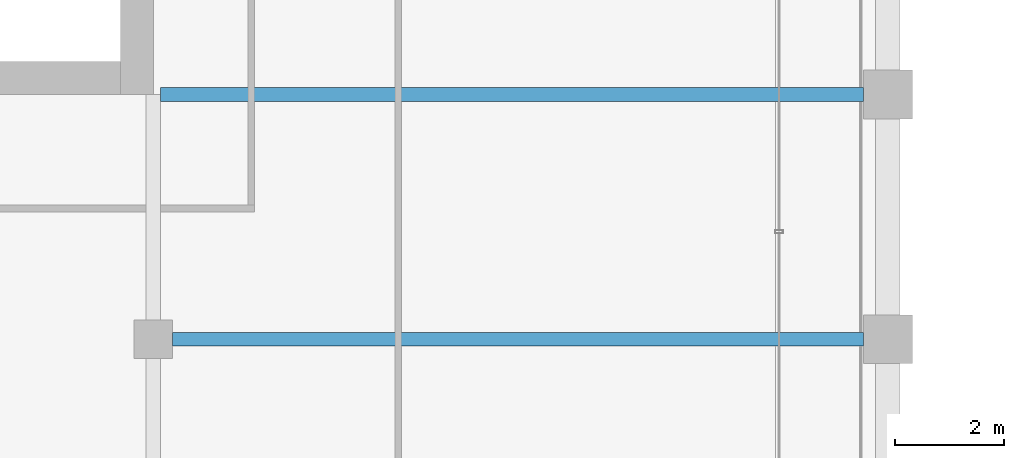
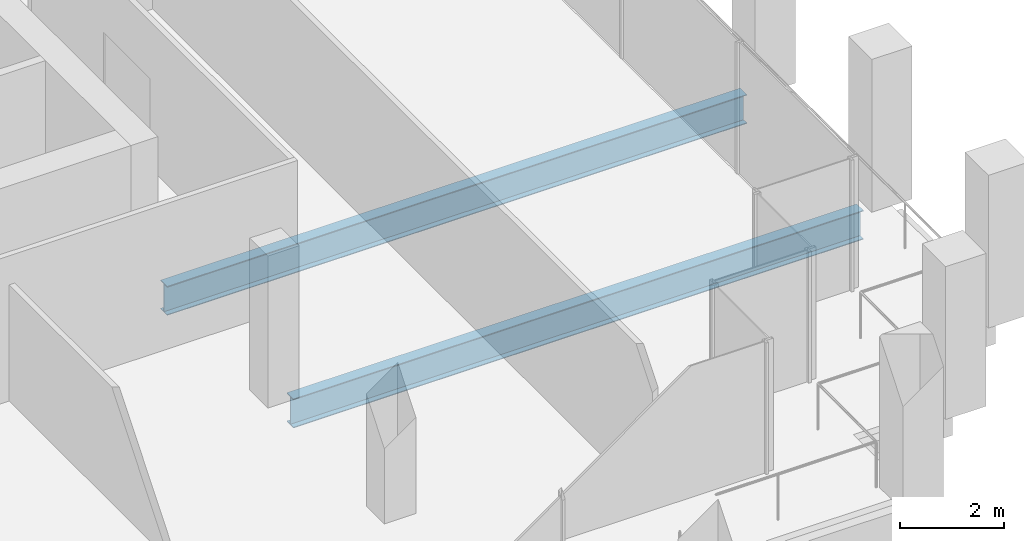
# One storey, part 14 of 40: 2 beams.
"""IFC4 building model written with IfcOpenShell, lengths in metres."""

from ifc_helpers import new_model, si_unit, direction, frame, origin, origin_2d, place, context, subcontext, project, spatial, i_section, extrude, material, material_profile, profile_set, type_object, element, save


model = new_model("IFC4")

# Units and contexts
model_context = context("Model", 3, precision=1e-05, world=origin(), true_north=direction((0.0, 1.0)))
body_context = subcontext(model_context, "Body", "Model", "MODEL_VIEW")
ifc_project = project(units=[si_unit("LENGTHUNIT", "METRE"), si_unit("AREAUNIT", "SQUARE_METRE"), si_unit("VOLUMEUNIT", "CUBIC_METRE"), si_unit("PLANEANGLEUNIT", "RADIAN"), si_unit("MASSUNIT", "GRAM", prefix="KILO")], contexts=[model_context])

# Site, building, storey
site_placement = place(None, origin())
site = spatial("IfcSite", under=ifc_project, at=site_placement, CompositionType="ELEMENT")
building_placement = place(site_placement, origin())
building = spatial("IfcBuilding", under=site, at=building_placement, Name="Altepetl Exchange Towers", CompositionType="ELEMENT")
storey_placement = place(building_placement, frame((0.0, 0.0, 154.60009765625)))
storey = spatial("IfcBuildingStorey", under=building, at=storey_placement, Name="L38", CompositionType="ELEMENT", Elevation=154.60009765625)

# Beams
ifc_material = material(Name="Steel S355", Category="steel")
ifc_material_profile = material_profile(ifc_material, i_section(OverallWidth=0.25390625, OverallDepth=0.68408203125, WebThickness=0.012451171875, FlangeThickness=0.018798828125, at=origin_2d()), Name="W27X94")
ifc_profile_set = profile_set([ifc_material_profile], Name="Steel S355")
beam_type = type_object("IfcBeamType", Name="Floor beam W27X94", PredefinedType="BEAM", material=ifc_profile_set)
beam_1_placement = place(storey_placement, frame((58.85009765625, 36.0, -0.4921875), z_axis=(1.0, 0.0, 0.0), x_axis=(0.0, 1.0, 0.0)))
element("IfcBeam", 1, at=beam_1_placement, inside=storey, type_object=beam_type, Name="bm:A:L38:007", PredefinedType="BEAM", context=body_context, shape_type="SweptSolid", body=[
    extrude(i_section(OverallWidth=0.25390625, OverallDepth=0.68408203125, WebThickness=0.012451171875, FlangeThickness=0.018798828125, at=origin_2d()), origin(), (0.0, 0.0, 1.0), 12.699951171875),
])
beam_2_placement = place(storey_placement, frame((58.634033203125, 40.5, -0.4921875), z_axis=(1.0, 0.0, 0.0), x_axis=(0.0, 1.0, 0.0)))
element("IfcBeam", 2, at=beam_2_placement, inside=storey, type_object=beam_type, Name="bm:A:L38:008", PredefinedType="BEAM", context=body_context, shape_type="SweptSolid", body=[
    extrude(i_section(OverallWidth=0.25390625, OverallDepth=0.68408203125, WebThickness=0.012451171875, FlangeThickness=0.018798828125, at=origin_2d()), origin(), (0.0, 0.0, 1.0), 12.916015625),
])

save(model, "model.ifc")
